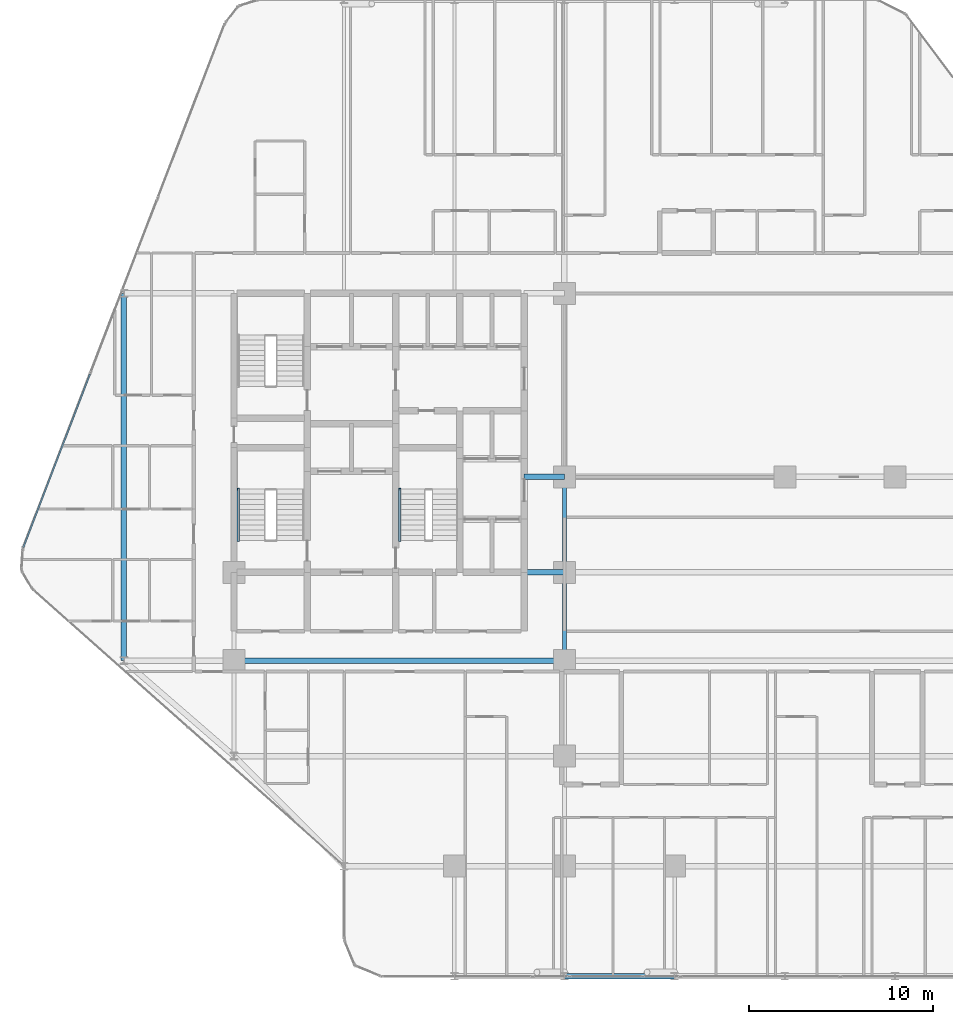
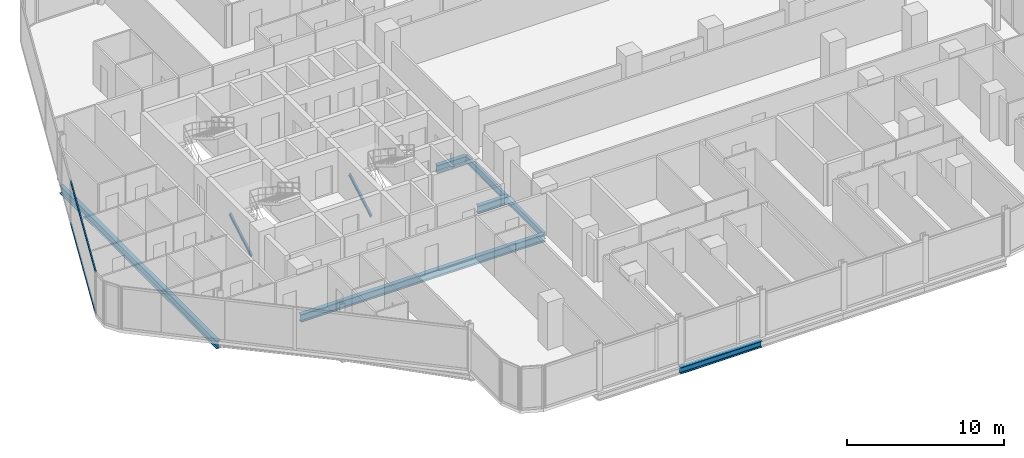
# One storey, part 7 of 33: 7 beams, 4 members, 1 element without a shape of its own.
"""IFC4 building model written with IfcOpenShell, lengths in metres."""

from ifc_helpers import new_model, si_unit, direction, frame, origin, origin_2d, place, context, subcontext, project, spatial, hollow_rectangle, i_section, extrude, material, layer, layer_set, material_profile, profile_set, type_object, element, aggregate, save


model = new_model("IFC4")

# Units and contexts
model_context = context("Model", 3, precision=1e-05, world=origin(), true_north=direction((0.0, 1.0)))
body_context = subcontext(model_context, "Body", "Model", "MODEL_VIEW")
ifc_project = project(units=[si_unit("LENGTHUNIT", "METRE"), si_unit("AREAUNIT", "SQUARE_METRE"), si_unit("VOLUMEUNIT", "CUBIC_METRE"), si_unit("PLANEANGLEUNIT", "RADIAN"), si_unit("MASSUNIT", "GRAM", prefix="KILO")], contexts=[model_context])

# Site, building, storey
site_placement = place(None, origin())
site = spatial("IfcSite", under=ifc_project, at=site_placement, CompositionType="ELEMENT")
building_placement = place(site_placement, origin())
building = spatial("IfcBuilding", under=site, at=building_placement, Name="Keshet Zoharim Tower", CompositionType="ELEMENT")
storey_placement = place(building_placement, frame((0.0, 0.0, 57.300048828125)))
storey = spatial("IfcBuildingStorey", under=building, at=storey_placement, Name="L13", CompositionType="ELEMENT", Elevation=57.300048828125)

# Beams
ifc_material_1 = material(Name="Steel S355", Category="steel")
ifc_material_profile_1 = material_profile(ifc_material_1, i_section(OverallWidth=0.300048828125, OverallDepth=0.60009765625, WebThickness=0.015380859375, FlangeThickness=0.030029296875, FilletRadius=0.027099609375, at=origin_2d()), Name="HEB600")
ifc_profile_set_1 = profile_set([ifc_material_profile_1], Name="Steel S355")
beam_type_1 = type_object("IfcBeamType", Name="BM-CLK-HB600", PredefinedType="BEAM", material=ifc_profile_set_1)
for number, where, z_axis, x_axis, name in (
    (1, (30.800048828125, 22.699951171875, -0.614990234375), (1.0, 0.0, 0.0), (0.0, 1.0, 0.0), "L13 Core Wall Link Girder 01"),
    (2, (30.800048828125, 27.89990234375, -0.614990234375), (1.0, 0.0, 0.0), (0.0, 1.0, 0.0), "L13 Core Wall Link Girder 02"),
):
    element("IfcBeam", number, at=place(storey_placement, frame(where, z_axis=z_axis, x_axis=x_axis)), inside=storey, type_object=beam_type_1, Name=name, PredefinedType="BEAM", context=body_context, shape_type="SweptSolid", body=[
        extrude(i_section(OverallWidth=0.300048828125, OverallDepth=0.60009765625, WebThickness=0.015380859375, FlangeThickness=0.030029296875, FilletRadius=0.027099609375, at=origin_2d()), origin(), (0.0, 0.0, 1.0), 2.199951171875),
    ])
ifc_material_profile_2 = material_profile(ifc_material_1, i_section(OverallWidth=0.300048828125, OverallDepth=0.60009765625, WebThickness=0.015380859375, FlangeThickness=0.030029296875, FilletRadius=0.027099609375, at=origin_2d()), Name="HEB600")
ifc_profile_set_2 = profile_set([ifc_material_profile_2], Name="Steel S355")
beam_type_2 = type_object("IfcBeamType", Name="BM-LNG-HB600", PredefinedType="BEAM", material=ifc_profile_set_2)
beam_1_placement = place(storey_placement, frame((15.0, 17.89990234375, -0.614990234375), z_axis=(1.0, 0.0, 0.0), x_axis=(0.0, 1.0, 0.0)))
element("IfcBeam", 3, at=beam_1_placement, inside=storey, type_object=beam_type_2, Name="L13 Primary Girder X-016", PredefinedType="BEAM", context=body_context, shape_type="SweptSolid", body=[
    extrude(i_section(OverallWidth=0.300048828125, OverallDepth=0.60009765625, WebThickness=0.015380859375, FlangeThickness=0.030029296875, FilletRadius=0.027099609375, at=origin_2d()), origin(), (0.0, 0.0, 1.0), 18.0),
])
beam_2_placement = place(storey_placement, frame((9.0, 17.89990234375, -0.614990234375), z_axis=(0.0, 1.0, 0.0), x_axis=(-1.0, 0.0, 0.0)))
element("IfcBeam", 4, at=beam_2_placement, inside=storey, type_object=beam_type_2, Name="L13 Primary Girder Y-001", PredefinedType="BEAM", context=body_context, shape_type="SweptSolid", body=[
    extrude(i_section(OverallWidth=0.300048828125, OverallDepth=0.60009765625, WebThickness=0.015380859375, FlangeThickness=0.030029296875, FilletRadius=0.027099609375, at=origin_2d()), origin(), (0.0, 0.0, 1.0), 20.0),
])
ifc_material_profile_3 = material_profile(ifc_material_1, i_section(OverallWidth=0.199951171875, OverallDepth=0.5, WebThickness=0.01025390625, FlangeThickness=0.01611328125, FilletRadius=0.02099609375, at=origin_2d()), Name="IPE500")
ifc_profile_set_3 = profile_set([ifc_material_profile_3], Name="Steel S355")
beam_type_3 = type_object("IfcBeamType", Name="BM-PRI-IP500", PredefinedType="BEAM", material=ifc_profile_set_3)
beam_3_placement = place(storey_placement, frame((33.0, 17.89990234375, -0.56494140625), z_axis=(0.0, 1.0, 0.0), x_axis=(-1.0, 0.0, 0.0)))
element("IfcBeam", 5, at=beam_3_placement, inside=storey, type_object=beam_type_3, Name="L13 Primary Girder Y-008", PredefinedType="BEAM", context=body_context, shape_type="SweptSolid", body=[
    extrude(i_section(OverallWidth=0.199951171875, OverallDepth=0.5, WebThickness=0.01025390625, FlangeThickness=0.01611328125, FilletRadius=0.02099609375, at=origin_2d()), origin(), (0.0, 0.0, 1.0), 4.800048828125),
])
beam_4_placement = place(storey_placement, frame((33.0, 22.699951171875, -0.56494140625), z_axis=(0.0, 1.0, 0.0), x_axis=(-1.0, 0.0, 0.0)))
element("IfcBeam", 6, at=beam_4_placement, inside=storey, type_object=beam_type_3, Name="L13 Primary Girder Y-009", PredefinedType="BEAM", context=body_context, shape_type="SweptSolid", body=[
    extrude(i_section(OverallWidth=0.199951171875, OverallDepth=0.5, WebThickness=0.01025390625, FlangeThickness=0.01611328125, FilletRadius=0.02099609375, at=origin_2d()), origin(), (0.0, 0.0, 1.0), 5.199951171875),
])
ifc_material_profile_4 = material_profile(ifc_material_1, i_section(OverallWidth=0.300048828125, OverallDepth=0.5, WebThickness=0.014404296875, FlangeThickness=0.028076171875, FilletRadius=0.027099609375, at=origin_2d()), Name="HEB500")
ifc_profile_set_4 = profile_set([ifc_material_profile_4], Name="Steel S355")
beam_type_4 = type_object("IfcBeamType", Name="BM-WEB-HB500", PredefinedType="BEAM", material=ifc_profile_set_4)
beam_5_placement = place(storey_placement, frame((33.0, 0.699951171875, -0.56494140625), z_axis=(1.0, 0.0, 0.0), x_axis=(0.0, 1.0, 0.0)))
element("IfcBeam", 7, at=beam_5_placement, inside=storey, type_object=beam_type_4, Name="L13 Primary Girder X-002", PredefinedType="BEAM", context=body_context, shape_type="SweptSolid", body=[
    extrude(i_section(OverallWidth=0.300048828125, OverallDepth=0.5, WebThickness=0.014404296875, FlangeThickness=0.028076171875, FilletRadius=0.027099609375, at=origin_2d()), origin(), (0.0, 0.0, 1.0), 6.0),
])

# Curtain wall, members
ifc_material_2 = material(Name="Aluminium 6063-T6", Category="aluminium")
ifc_layer = layer(ifc_material_2, 0.179931640625)
ifc_layer_set = layer_set([ifc_layer], Name="Aluminium 6063-T6")
curtain_wall_type = type_object("IfcCurtainWallType", Name="CW-SYS-01", PredefinedType="NOTDEFINED", material=ifc_layer_set)
curtain_wall_placement = place(storey_placement, origin())
curtain_wall = element("IfcCurtainWall", 8, at=curtain_wall_placement, inside=storey, type_object=curtain_wall_type, Name="L13 Unitised Curtain Wall 04", PredefinedType="NOTDEFINED")
ifc_material_profile_5 = material_profile(ifc_material_2, hollow_rectangle(XDim=0.0849609375, YDim=0.159912109375, WallThickness=0.00439453125, at=origin_2d()), Name="TRN-85x160")
ifc_profile_set_5 = profile_set([ifc_material_profile_5], Name="Aluminium 6063-T6")
member_type_1 = type_object("IfcMemberType", Name="CWT-T16", PredefinedType="USERDEFINED", material=ifc_profile_set_5)
member_1_placement = place(storey_placement, frame((3.522216796875, 24.058349609375, 0.034912109375), z_axis=(0.358993631387, 0.93334000912, 0.0), x_axis=(-0.93334000912, 0.358993631387, 0.0)))
member_1 = element("IfcMember", 9, at=member_1_placement, type_object=member_type_1, Name="CW-01 transom 1.1", ObjectType="TRANSOM", PredefinedType="USERDEFINED", context=body_context, shape_type="SweptSolid", body=[
    extrude(hollow_rectangle(XDim=0.0849609375, YDim=0.159912109375, WallThickness=0.00439453125, at=origin_2d()), origin(), (0.0, 0.0, 1.0), 10.1181640625),
])
member_2_placement = place(storey_placement, frame((3.522216796875, 24.058349609375, 3.244873046875), z_axis=(0.358993631387, 0.93334000912, 0.0), x_axis=(-0.93334000912, 0.358993631387, 0.0)))
member_2 = element("IfcMember", 10, at=member_2_placement, type_object=member_type_1, Name="CW-01 transom 1.2", ObjectType="TRANSOM", PredefinedType="USERDEFINED", context=body_context, shape_type="SweptSolid", body=[
    extrude(hollow_rectangle(XDim=0.0849609375, YDim=0.159912109375, WallThickness=0.00439453125, at=origin_2d()), origin(), (0.0, 0.0, 1.0), 10.1181640625),
])
aggregate(curtain_wall, [member_1, member_2])

# Members
ifc_material_profile_6 = material_profile(ifc_material_1, i_section(OverallWidth=0.1201171875, OverallDepth=0.239990234375, WebThickness=0.006103515625, FlangeThickness=0.009765625, FilletRadius=0.014892578125, at=origin_2d()), Name="IPE240")
ifc_profile_set_6 = profile_set([ifc_material_profile_6], Name="Steel S355")
member_type_2 = type_object("IfcMemberType", Name="MB-STRG-IP240", PredefinedType="STRINGER", material=ifc_profile_set_6)
for number, where, z_axis, x_axis, name in (
    (11, (15.22998046875, 24.43994140625, 0.119873046875), (0.0, 0.86689568745, 0.49848958573), (-1.0, 0.0, 0.0), "L13 ST-01 Flight Steel Stringer"),
    (12, (24.030029296875, 24.43994140625, 0.119873046875), (0.0, 0.86689568745, 0.49848958573), (-1.0, 0.0, 0.0), "L13 ST-03 Flight Steel Stringer"),
):
    element("IfcMember", number, at=place(storey_placement, frame(where, z_axis=z_axis, x_axis=x_axis)), inside=storey, type_object=member_type_2, Name=name, PredefinedType="STRINGER", context=body_context, shape_type="SweptSolid", body=[
        extrude(i_section(OverallWidth=0.1201171875, OverallDepth=0.239990234375, WebThickness=0.006103515625, FlangeThickness=0.009765625, FilletRadius=0.014892578125, at=origin_2d()), origin(), (0.0, 0.0, 1.0), 3.22998046875),
    ])

save(model, "model.ifc")
